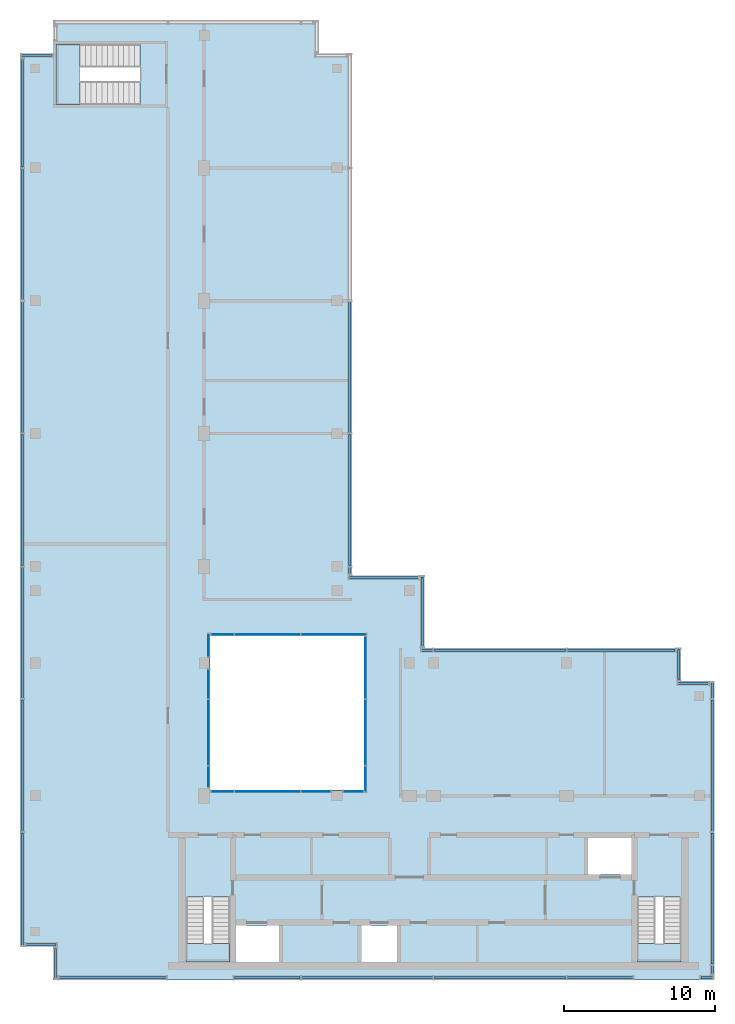
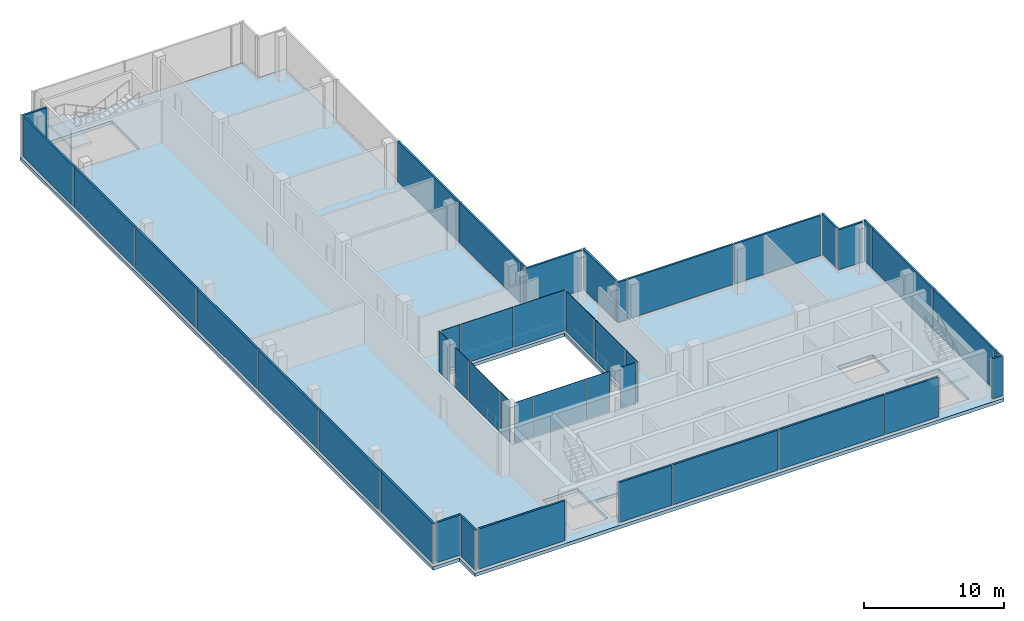
# One storey, part 7 of 10: 44 plates, 4 slabs, 23 elements without a shape of their own.
"""IFC4 building model written with IfcOpenShell, lengths in metres."""

from ifc_helpers import new_model, si_unit, direction, frame, origin, origin_2d, place, context, subcontext, project, spatial, polyline, rectangle, outline, extrude, source, transform, mapped, material, layer, layer_set, type_object, element, aggregate, save


model = new_model("IFC4")

# Units and contexts
model_context = context("Model", 3, precision=1e-05, world=origin(), true_north=direction((0.0, 1.0)))
body_context = subcontext(model_context, "Body", "Model", "MODEL_VIEW")
ifc_project = project(units=[si_unit("LENGTHUNIT", "METRE"), si_unit("AREAUNIT", "SQUARE_METRE"), si_unit("VOLUMEUNIT", "CUBIC_METRE"), si_unit("PLANEANGLEUNIT", "RADIAN"), si_unit("MASSUNIT", "GRAM", prefix="KILO")], contexts=[model_context])

# Site, building, storey
site_placement = place(None, origin())
site = spatial("IfcSite", under=ifc_project, at=site_placement, CompositionType="ELEMENT")
building_placement = place(site_placement, origin())
building = spatial("IfcBuilding", under=site, at=building_placement, Name="Kemantara Hotel Tower", CompositionType="ELEMENT")
storey_placement = place(building_placement, frame((0.0, 0.0, 318.199951171875)))
storey = spatial("IfcBuildingStorey", under=building, at=storey_placement, Name="L80", CompositionType="ELEMENT", Elevation=318.199951171875)

# Slab
ifc_material_1 = material(Name="Concrete fc 40 MPa", Category="concrete")
ifc_layer_1 = layer(ifc_material_1, 0.300048828125)
ifc_layer_set_1 = layer_set([ifc_layer_1], Name="Concrete fc 40 MPa")
slab_type_1 = type_object("IfcSlabType", Name="POST-TENSIONED FLAT PLATE 300", PredefinedType="FLOOR", material=ifc_layer_set_1)
slab_1_placement = place(storey_placement, frame((0.0, 0.0, -0.300048828125)))
element("IfcSlab", 1, at=slab_1_placement, inside=storey, type_object=slab_type_1, Name="FLOOR SLAB L80", PredefinedType="FLOOR", context=body_context, shape_type="SweptSolid", body=[
    extrude(outline(polyline([(22.0, 26.800048828125), (22.0, 61.39990234375), (19.800048828125, 61.39990234375), (19.800048828125, 63.60009765625), (2.199951171875, 63.60009765625), (2.199951171875, 61.39990234375), (0.0, 61.39990234375), (0.0, 2.199951171875), (2.199951171875, 2.199951171875), (2.199951171875, 0.0), (46.0, 0.0), (46.0, 19.800048828125), (43.800048828125, 19.800048828125), (43.800048828125, 22.0), (26.800048828125, 22.0), (26.800048828125, 26.800048828125), (22.0, 26.800048828125)]), holes=[polyline([(14.22509765625, 3.60009765625), (17.175048828125, 3.60009765625), (17.175048828125, 1.199951171875), (14.22509765625, 1.199951171875), (14.22509765625, 3.60009765625)]), polyline([(24.97509765625, 3.60009765625), (24.97509765625, 1.199951171875), (22.625, 1.199951171875), (22.625, 3.60009765625), (24.97509765625, 3.60009765625)]), polyline([(13.89990234375, 1.199951171875), (11.0, 1.199951171875), (11.0, 5.49951171875), (13.89990234375, 5.49951171875), (13.89990234375, 1.199951171875)]), polyline([(43.800048828125, 1.199951171875), (40.89990234375, 1.199951171875), (40.89990234375, 5.49951171875), (43.800048828125, 5.49951171875), (43.800048828125, 1.199951171875)]), polyline([(40.574951171875, 9.39990234375), (40.574951171875, 7.0), (37.625, 7.0), (37.625, 9.39990234375), (40.574951171875, 9.39990234375)]), polyline([(22.800048828125, 22.800048828125), (22.800048828125, 12.60009765625), (12.60009765625, 12.60009765625), (12.60009765625, 22.800048828125), (22.800048828125, 22.800048828125)]), polyline([(2.39990234375, 58.0), (2.39990234375, 62.0), (7.949462890625, 62.0), (7.949462890625, 58.0), (2.39990234375, 58.0)])]), origin(), (0.0, 0.0, 1.0), 0.300048828125),
])

# Stair, slab
stair_type_1 = type_object("IfcStairType", Name="Stair 1200 wide 24 risers of 167 x 280 mm", PredefinedType="HALF_TURN_STAIR", material=ifc_material_1)
stair_1_placement = place(storey_placement, origin())
stair_1 = element("IfcStair", 2, at=stair_1_placement, inside=storey, type_object=stair_type_1, Name="L80 Exit stair ST1", PredefinedType="HALF_TURN_STAIR")
ifc_layer_2 = layer(ifc_material_1, 0.199951171875)
ifc_layer_set_2 = layer_set([ifc_layer_2], Name="Concrete fc 40 MPa")
slab_type_2 = type_object("IfcSlabType", Name="Stair landing 200 mm", PredefinedType="LANDING", material=ifc_layer_set_2)
slab_2_placement = place(storey_placement, frame((0.0, 0.0, 1.800048828125)))
slab_2 = element("IfcSlab", 3, at=slab_2_placement, type_object=slab_type_2, Name="ST1 landing 1", PredefinedType="LANDING", context=body_context, shape_type="SweptSolid", body=[
    extrude(outline(polyline([(11.0, 2.419921875), (11.0, 1.199951171875), (13.89990234375, 1.199951171875), (13.89990234375, 2.419921875), (11.0, 2.419921875)])), origin(), (0.0, 0.0, 1.0), 0.199951171875),
])
aggregate(stair_1, [slab_2])

stair_2_placement = place(storey_placement, origin())
stair_2 = element("IfcStair", 4, at=stair_2_placement, inside=storey, type_object=stair_type_1, Name="L80 Exit stair ST2", PredefinedType="HALF_TURN_STAIR")
slab_3_placement = place(storey_placement, frame((0.0, 0.0, 1.800048828125)))
slab_3 = element("IfcSlab", 5, at=slab_3_placement, type_object=slab_type_2, Name="ST2 landing 1", PredefinedType="LANDING", context=body_context, shape_type="SweptSolid", body=[
    extrude(outline(polyline([(40.89990234375, 2.419921875), (40.89990234375, 1.199951171875), (43.800048828125, 1.199951171875), (43.800048828125, 2.419921875), (40.89990234375, 2.419921875)])), origin(), (0.0, 0.0, 1.0), 0.199951171875),
])
aggregate(stair_2, [slab_3])

stair_type_2 = type_object("IfcStairType", Name="Stair 1550 wide 24 risers of 167 x 360 mm", PredefinedType="HALF_TURN_STAIR", material=ifc_material_1)
stair_3_placement = place(storey_placement, origin())
stair_3 = element("IfcStair", 6, at=stair_3_placement, inside=storey, type_object=stair_type_2, Name="L80 Exit stair ST4", PredefinedType="HALF_TURN_STAIR")
slab_4_placement = place(storey_placement, frame((0.0, 0.0, 1.800048828125)))
slab_4 = element("IfcSlab", 7, at=slab_4_placement, type_object=slab_type_2, Name="ST4 landing 1", PredefinedType="LANDING", context=body_context, shape_type="SweptSolid", body=[
    extrude(outline(polyline([(3.989990234375, 62.0), (2.39990234375, 62.0), (2.39990234375, 58.0), (3.989990234375, 58.0), (3.989990234375, 62.0)])), origin(), (0.0, 0.0, 1.0), 0.199951171875),
])
aggregate(stair_3, [slab_4])

# Curtain wall, plate
ifc_material_2 = material(Name="Aluminium 6063-T6 bronze anodised", Category="aluminium")
curtain_wall_type_1 = type_object("IfcCurtainWallType", Name="CROWN LOUVRE SCREEN WALL", PredefinedType="USERDEFINED", material=ifc_material_2)
curtain_wall_1_placement = place(storey_placement, origin())
curtain_wall_1 = element("IfcCurtainWall", 8, at=curtain_wall_1_placement, inside=storey, type_object=curtain_wall_type_1, Name="CW7 L80 CRN-R12-1", ObjectType="CROWN LOUVRE SCREEN WALL", PredefinedType="USERDEFINED")
ifc_material_3 = material(Name="Bronze anodised aluminium louvre blades 3 mm", Category="aluminium")
ifc_layer_3 = layer(ifc_material_3, 0.159912109375)
ifc_layer_set_3 = layer_set([ifc_layer_3], Name="Bronze anodised aluminium louvre blades 3 mm")
plate_type_1 = type_object("IfcPlateType", Name="CROWN LOUVRE SCREEN WALL PANEL", PredefinedType="CURTAIN_PANEL", material=ifc_layer_set_3)
shared_shape_1 = source(origin(), body_context, "Body", "SweptSolid", [
    extrude(rectangle(XDim=0.75, YDim=0.159912109375, at=origin_2d()), origin(), (0.0, 0.0, 1.0), 3.5),
])
plate_1_placement = place(storey_placement, frame((26.97509765625, 21.85009765625, 0.199951171875), z_axis=(0.0, 0.0, 1.0), x_axis=(-1.0, 0.0, 0.0)))
plate_1 = element("IfcPlate", 9, at=plate_1_placement, type_object=plate_type_1, Name="CW7 louvre panel CRN-R12-1.3", PredefinedType="CURTAIN_PANEL", context=body_context, shape_type="MappedRepresentation", body=[
    mapped(shared_shape_1, transform((0.0, 0.0, 0.0))),
])

# Curtain wall, plates
curtain_wall_2_placement = place(storey_placement, origin())
curtain_wall_2 = element("IfcCurtainWall", 10, at=curtain_wall_2_placement, inside=storey, type_object=curtain_wall_type_1, Name="CW7 L80 CRN-R05-1", ObjectType="CROWN LOUVRE SCREEN WALL", PredefinedType="USERDEFINED")
shared_shape_2 = source(origin(), body_context, "Body", "SweptSolid", [
    extrude(rectangle(XDim=8.699951171875, YDim=0.159912109375, at=origin_2d()), origin(), (0.0, 0.0, 1.0), 3.5),
])
plate_2_placement = place(storey_placement, frame((0.14990234375, 49.39990234375, 0.199951171875), z_axis=(0.0, 0.0, 1.0), x_axis=(0.0, -1.0, 0.0)))
plate_2 = element("IfcPlate", 11, at=plate_2_placement, type_object=plate_type_1, Name="CW7 louvre panel CRN-R05-1.2", PredefinedType="CURTAIN_PANEL", context=body_context, shape_type="MappedRepresentation", body=[
    mapped(shared_shape_2, transform((0.0, 0.0, 0.0))),
])
plate_3_placement = place(storey_placement, frame((0.14990234375, 40.60009765625, 0.199951171875), z_axis=(0.0, 0.0, 1.0), x_axis=(0.0, -1.0, 0.0)))
plate_3 = element("IfcPlate", 12, at=plate_3_placement, type_object=plate_type_1, Name="CW7 louvre panel CRN-R05-1.3", PredefinedType="CURTAIN_PANEL", context=body_context, shape_type="MappedRepresentation", body=[
    mapped(shared_shape_2, transform((0.0, 0.0, 0.0))),
])
plate_4_placement = place(storey_placement, frame((0.14990234375, 31.800048828125, 0.199951171875), z_axis=(0.0, 0.0, 1.0), x_axis=(0.0, -1.0, 0.0)))
plate_4 = element("IfcPlate", 13, at=plate_4_placement, type_object=plate_type_1, Name="CW7 louvre panel CRN-R05-1.4", PredefinedType="CURTAIN_PANEL", context=body_context, shape_type="MappedRepresentation", body=[
    mapped(shared_shape_2, transform((0.0, 0.0, 0.0))),
])
plate_5_placement = place(storey_placement, frame((0.14990234375, 23.0, 0.199951171875), z_axis=(0.0, 0.0, 1.0), x_axis=(0.0, -1.0, 0.0)))
plate_5 = element("IfcPlate", 14, at=plate_5_placement, type_object=plate_type_1, Name="CW7 louvre panel CRN-R05-1.5", PredefinedType="CURTAIN_PANEL", context=body_context, shape_type="MappedRepresentation", body=[
    mapped(shared_shape_2, transform((0.0, 0.0, 0.0))),
])
plate_6_placement = place(storey_placement, frame((0.14990234375, 14.199951171875, 0.199951171875), z_axis=(0.0, 0.0, 1.0), x_axis=(0.0, -1.0, 0.0)))
plate_6 = element("IfcPlate", 15, at=plate_6_placement, type_object=plate_type_1, Name="CW7 louvre panel CRN-R05-1.6", PredefinedType="CURTAIN_PANEL", context=body_context, shape_type="MappedRepresentation", body=[
    mapped(shared_shape_2, transform((0.0, 0.0, 0.0))),
])

curtain_wall_3_placement = place(storey_placement, origin())
curtain_wall_3 = element("IfcCurtainWall", 16, at=curtain_wall_3_placement, inside=storey, type_object=curtain_wall_type_1, Name="CW7 L80 CRN-R08-2", ObjectType="CROWN LOUVRE SCREEN WALL", PredefinedType="USERDEFINED")
plate_7_placement = place(storey_placement, frame((23.0, 0.14990234375, 0.199951171875), z_axis=(0.0, 0.0, 1.0), x_axis=(1.0, 0.0, 0.0)))
plate_7 = element("IfcPlate", 17, at=plate_7_placement, type_object=plate_type_1, Name="CW7 louvre panel CRN-R08-2.2", PredefinedType="CURTAIN_PANEL", context=body_context, shape_type="MappedRepresentation", body=[
    mapped(shared_shape_2, transform((0.0, 0.0, 0.0))),
])
plate_8_placement = place(storey_placement, frame((31.800048828125, 0.14990234375, 0.199951171875), z_axis=(0.0, 0.0, 1.0), x_axis=(1.0, 0.0, 0.0)))
plate_8 = element("IfcPlate", 18, at=plate_8_placement, type_object=plate_type_1, Name="CW7 louvre panel CRN-R08-2.3", PredefinedType="CURTAIN_PANEL", context=body_context, shape_type="MappedRepresentation", body=[
    mapped(shared_shape_2, transform((0.0, 0.0, 0.0))),
])

curtain_wall_4_placement = place(storey_placement, origin())
curtain_wall_4 = element("IfcCurtainWall", 19, at=curtain_wall_4_placement, inside=storey, type_object=curtain_wall_type_1, Name="CW7 L80 CRN-R09-1", ObjectType="CROWN LOUVRE SCREEN WALL", PredefinedType="USERDEFINED")
plate_9_placement = place(storey_placement, frame((45.85009765625, 5.39990234375, 0.199951171875), z_axis=(0.0, 0.0, 1.0), x_axis=(0.0, 1.0, 0.0)))
plate_9 = element("IfcPlate", 20, at=plate_9_placement, type_object=plate_type_1, Name="CW7 louvre panel CRN-R09-1.2", PredefinedType="CURTAIN_PANEL", context=body_context, shape_type="MappedRepresentation", body=[
    mapped(shared_shape_2, transform((0.0, 0.0, 0.0))),
])
plate_10_placement = place(storey_placement, frame((45.85009765625, 14.199951171875, 0.199951171875), z_axis=(0.0, 0.0, 1.0), x_axis=(0.0, 1.0, 0.0)))
plate_10 = element("IfcPlate", 21, at=plate_10_placement, type_object=plate_type_1, Name="CW7 louvre panel CRN-R09-1.3", PredefinedType="CURTAIN_PANEL", context=body_context, shape_type="MappedRepresentation", body=[
    mapped(shared_shape_2, transform((0.0, 0.0, 0.0))),
])

# Plate
plate_11_placement = place(storey_placement, frame((31.800048828125, 21.85009765625, 0.199951171875), z_axis=(0.0, 0.0, 1.0), x_axis=(-1.0, 0.0, 0.0)))
plate_11 = element("IfcPlate", 22, at=plate_11_placement, type_object=plate_type_1, Name="CW7 louvre panel CRN-R12-1.2", PredefinedType="CURTAIN_PANEL", context=body_context, shape_type="MappedRepresentation", body=[
    mapped(shared_shape_2, transform((0.0, 0.0, 0.0))),
])

# Curtain wall, plates
curtain_wall_5_placement = place(storey_placement, origin())
curtain_wall_5 = element("IfcCurtainWall", 23, at=curtain_wall_5_placement, inside=storey, type_object=curtain_wall_type_1, Name="CW7 L80 CRN-R15-1", ObjectType="CROWN LOUVRE SCREEN WALL", PredefinedType="USERDEFINED")
plate_12_placement = place(storey_placement, frame((21.85009765625, 31.800048828125, 0.199951171875), z_axis=(0.0, 0.0, 1.0), x_axis=(0.0, 1.0, 0.0)))
plate_12 = element("IfcPlate", 24, at=plate_12_placement, type_object=plate_type_1, Name="CW7 louvre panel CRN-R15-1.2", PredefinedType="CURTAIN_PANEL", context=body_context, shape_type="MappedRepresentation", body=[
    mapped(shared_shape_2, transform((0.0, 0.0, 0.0))),
])
plate_13_placement = place(storey_placement, frame((21.85009765625, 40.60009765625, 0.199951171875), z_axis=(0.0, 0.0, 1.0), x_axis=(0.0, 1.0, 0.0)))
plate_13 = element("IfcPlate", 25, at=plate_13_placement, type_object=plate_type_1, Name="CW7 louvre panel CRN-R15-1.3", PredefinedType="CURTAIN_PANEL", context=body_context, shape_type="MappedRepresentation", body=[
    mapped(shared_shape_2, transform((0.0, 0.0, 0.0))),
])

# Plate
shared_shape_3 = source(origin(), body_context, "Body", "SweptSolid", [
    extrude(rectangle(XDim=7.449951171875, YDim=0.159912109375, at=origin_2d()), origin(), (0.0, 0.0, 1.0), 3.5),
])
plate_14_placement = place(storey_placement, frame((0.14990234375, 6.02490234375, 0.199951171875), z_axis=(0.0, 0.0, 1.0), x_axis=(0.0, -1.0, 0.0)))
plate_14 = element("IfcPlate", 26, at=plate_14_placement, type_object=plate_type_1, Name="CW7 louvre panel CRN-R05-1.7", PredefinedType="CURTAIN_PANEL", context=body_context, shape_type="MappedRepresentation", body=[
    mapped(shared_shape_3, transform((0.0, 0.0, 0.0))),
])

shared_shape_4 = source(origin(), body_context, "Body", "SweptSolid", [
    extrude(rectangle(XDim=7.14990234375, YDim=0.159912109375, at=origin_2d()), origin(), (0.0, 0.0, 1.0), 3.5),
])
plate_15_placement = place(storey_placement, frame((0.14990234375, 57.425048828125, 0.199951171875), z_axis=(0.0, 0.0, 1.0), x_axis=(0.0, -1.0, 0.0)))
plate_15 = element("IfcPlate", 27, at=plate_15_placement, type_object=plate_type_1, Name="CW7 louvre panel CRN-R05-1.1", PredefinedType="CURTAIN_PANEL", context=body_context, shape_type="MappedRepresentation", body=[
    mapped(shared_shape_4, transform((0.0, 0.0, 0.0))),
])

aggregate(curtain_wall_2, [plate_15, plate_2, plate_3, plate_4, plate_5, plate_6, plate_14])

plate_16_placement = place(storey_placement, frame((39.824951171875, 21.85009765625, 0.199951171875), z_axis=(0.0, 0.0, 1.0), x_axis=(-1.0, 0.0, 0.0)))
plate_16 = element("IfcPlate", 28, at=plate_16_placement, type_object=plate_type_1, Name="CW7 louvre panel CRN-R12-1.1", PredefinedType="CURTAIN_PANEL", context=body_context, shape_type="MappedRepresentation", body=[
    mapped(shared_shape_4, transform((0.0, 0.0, 0.0))),
])

aggregate(curtain_wall_1, [plate_16, plate_11, plate_1])

# Curtain wall, plate
curtain_wall_6_placement = place(storey_placement, origin())
curtain_wall_6 = element("IfcCurtainWall", 29, at=curtain_wall_6_placement, inside=storey, type_object=curtain_wall_type_1, Name="CW7 L80 CRN-R08-1", ObjectType="CROWN LOUVRE SCREEN WALL", PredefinedType="USERDEFINED")
shared_shape_5 = source(origin(), body_context, "Body", "SweptSolid", [
    extrude(rectangle(XDim=7.10009765625, YDim=0.159912109375, at=origin_2d()), origin(), (0.0, 0.0, 1.0), 3.5),
])
plate_17_placement = place(storey_placement, frame((6.14990234375, 0.14990234375, 0.199951171875), z_axis=(0.0, 0.0, 1.0), x_axis=(1.0, 0.0, 0.0)))
plate_17 = element("IfcPlate", 30, at=plate_17_placement, type_object=plate_type_1, Name="CW7 louvre panel CRN-R08-1.1", PredefinedType="CURTAIN_PANEL", context=body_context, shape_type="MappedRepresentation", body=[
    mapped(shared_shape_5, transform((0.0, 0.0, 0.0))),
])
aggregate(curtain_wall_6, [plate_17])

# Plate
shared_shape_6 = source(origin(), body_context, "Body", "SweptSolid", [
    extrude(rectangle(XDim=4.35009765625, YDim=0.159912109375, at=origin_2d()), origin(), (0.0, 0.0, 1.0), 3.5),
])
plate_18_placement = place(storey_placement, frame((16.375, 0.14990234375, 0.199951171875), z_axis=(0.0, 0.0, 1.0), x_axis=(1.0, 0.0, 0.0)))
plate_18 = element("IfcPlate", 31, at=plate_18_placement, type_object=plate_type_1, Name="CW7 louvre panel CRN-R08-2.1", PredefinedType="CURTAIN_PANEL", context=body_context, shape_type="MappedRepresentation", body=[
    mapped(shared_shape_6, transform((0.0, 0.0, 0.0))),
])

plate_19_placement = place(storey_placement, frame((38.425048828125, 0.14990234375, 0.199951171875), z_axis=(0.0, 0.0, 1.0), x_axis=(1.0, 0.0, 0.0)))
plate_19 = element("IfcPlate", 32, at=plate_19_placement, type_object=plate_type_1, Name="CW7 louvre panel CRN-R08-2.4", PredefinedType="CURTAIN_PANEL", context=body_context, shape_type="MappedRepresentation", body=[
    mapped(shared_shape_6, transform((0.0, 0.0, 0.0))),
])

aggregate(curtain_wall_3, [plate_18, plate_7, plate_8, plate_19])

# Curtain wall, plate
curtain_wall_7_placement = place(storey_placement, origin())
curtain_wall_7 = element("IfcCurtainWall", 33, at=curtain_wall_7_placement, inside=storey, type_object=curtain_wall_type_1, Name="CW7 L80 CRN-R08-3", ObjectType="CROWN LOUVRE SCREEN WALL", PredefinedType="USERDEFINED")
shared_shape_7 = source(origin(), body_context, "Body", "SweptSolid", [
    extrude(rectangle(XDim=0.800048828125, YDim=0.159912109375, at=origin_2d()), origin(), (0.0, 0.0, 1.0), 3.5),
])
plate_20_placement = place(storey_placement, frame((45.5, 0.14990234375, 0.199951171875), z_axis=(0.0, 0.0, 1.0), x_axis=(1.0, 0.0, 0.0)))
plate_20 = element("IfcPlate", 34, at=plate_20_placement, type_object=plate_type_1, Name="CW7 louvre panel CRN-R08-3.1", PredefinedType="CURTAIN_PANEL", context=body_context, shape_type="MappedRepresentation", body=[
    mapped(shared_shape_7, transform((0.0, 0.0, 0.0))),
])
aggregate(curtain_wall_7, [plate_20])

# Plate
shared_shape_8 = source(origin(), body_context, "Body", "SweptSolid", [
    extrude(rectangle(XDim=0.550048828125, YDim=0.159912109375, at=origin_2d()), origin(), (0.0, 0.0, 1.0), 3.5),
])
plate_21_placement = place(storey_placement, frame((45.85009765625, 0.675048828125, 0.199951171875), z_axis=(0.0, 0.0, 1.0), x_axis=(0.0, 1.0, 0.0)))
plate_21 = element("IfcPlate", 35, at=plate_21_placement, type_object=plate_type_1, Name="CW7 louvre panel CRN-R09-1.1", PredefinedType="CURTAIN_PANEL", context=body_context, shape_type="MappedRepresentation", body=[
    mapped(shared_shape_8, transform((0.0, 0.0, 0.0))),
])

shared_shape_9 = source(origin(), body_context, "Body", "SweptSolid", [
    extrude(rectangle(XDim=1.050048828125, YDim=0.159912109375, at=origin_2d()), origin(), (0.0, 0.0, 1.0), 3.5),
])
plate_22_placement = place(storey_placement, frame((45.85009765625, 19.175048828125, 0.199951171875), z_axis=(0.0, 0.0, 1.0), x_axis=(0.0, 1.0, 0.0)))
plate_22 = element("IfcPlate", 36, at=plate_22_placement, type_object=plate_type_1, Name="CW7 louvre panel CRN-R09-1.4", PredefinedType="CURTAIN_PANEL", context=body_context, shape_type="MappedRepresentation", body=[
    mapped(shared_shape_9, transform((0.0, 0.0, 0.0))),
])

aggregate(curtain_wall_4, [plate_21, plate_9, plate_10, plate_22])

# Curtain wall, plate
curtain_wall_8_placement = place(storey_placement, origin())
curtain_wall_8 = element("IfcCurtainWall", 37, at=curtain_wall_8_placement, inside=storey, type_object=curtain_wall_type_1, Name="CW7 L80 CRN-R13-1", ObjectType="CROWN LOUVRE SCREEN WALL", PredefinedType="USERDEFINED")
shared_shape_10 = source(origin(), body_context, "Body", "SweptSolid", [
    extrude(rectangle(XDim=4.60009765625, YDim=0.159912109375, at=origin_2d()), origin(), (0.0, 0.0, 1.0), 3.5),
])
plate_23_placement = place(storey_placement, frame((26.64990234375, 24.39990234375, 0.199951171875), z_axis=(0.0, 0.0, 1.0), x_axis=(0.0, 1.0, 0.0)))
plate_23 = element("IfcPlate", 38, at=plate_23_placement, type_object=plate_type_1, Name="CW7 louvre panel CRN-R13-1.1", PredefinedType="CURTAIN_PANEL", context=body_context, shape_type="MappedRepresentation", body=[
    mapped(shared_shape_10, transform((0.0, 0.0, 0.0))),
])
aggregate(curtain_wall_8, [plate_23])

curtain_wall_9_placement = place(storey_placement, origin())
curtain_wall_9 = element("IfcCurtainWall", 39, at=curtain_wall_9_placement, inside=storey, type_object=curtain_wall_type_1, Name="CW7 L80 CRN-R14-1", ObjectType="CROWN LOUVRE SCREEN WALL", PredefinedType="USERDEFINED")
plate_24_placement = place(storey_placement, frame((24.10009765625, 26.64990234375, 0.199951171875), z_axis=(0.0, 0.0, 1.0), x_axis=(-1.0, 0.0, 0.0)))
plate_24 = element("IfcPlate", 40, at=plate_24_placement, type_object=plate_type_1, Name="CW7 louvre panel CRN-R14-1.1", PredefinedType="CURTAIN_PANEL", context=body_context, shape_type="MappedRepresentation", body=[
    mapped(shared_shape_10, transform((0.0, 0.0, 0.0))),
])
aggregate(curtain_wall_9, [plate_24])

# Plate
shared_shape_11 = source(origin(), body_context, "Body", "SweptSolid", [
    extrude(rectangle(XDim=0.449951171875, YDim=0.159912109375, at=origin_2d()), origin(), (0.0, 0.0, 1.0), 3.5),
])
plate_25_placement = place(storey_placement, frame((21.85009765625, 27.125, 0.199951171875), z_axis=(0.0, 0.0, 1.0), x_axis=(0.0, 1.0, 0.0)))
plate_25 = element("IfcPlate", 41, at=plate_25_placement, type_object=plate_type_1, Name="CW7 louvre panel CRN-R15-1.1", PredefinedType="CURTAIN_PANEL", context=body_context, shape_type="MappedRepresentation", body=[
    mapped(shared_shape_11, transform((0.0, 0.0, 0.0))),
])

aggregate(curtain_wall_5, [plate_25, plate_12, plate_13])

# Curtain wall, plate
curtain_wall_10_placement = place(storey_placement, origin())
curtain_wall_10 = element("IfcCurtainWall", 42, at=curtain_wall_10_placement, inside=storey, type_object=curtain_wall_type_1, Name="CW7 L80 CRN-R04-1", ObjectType="CROWN LOUVRE SCREEN WALL", PredefinedType="USERDEFINED")
shared_shape_12 = source(origin(), body_context, "Body", "SweptSolid", [
    extrude(rectangle(XDim=2.0, YDim=0.159912109375, at=origin_2d()), origin(), (0.0, 0.0, 1.0), 3.5),
])
plate_26_placement = place(storey_placement, frame((1.10009765625, 61.25, 0.199951171875), z_axis=(0.0, 0.0, 1.0), x_axis=(-1.0, 0.0, 0.0)))
plate_26 = element("IfcPlate", 43, at=plate_26_placement, type_object=plate_type_1, Name="CW7 louvre panel CRN-R04-1.1", PredefinedType="CURTAIN_PANEL", context=body_context, shape_type="MappedRepresentation", body=[
    mapped(shared_shape_12, transform((0.0, 0.0, 0.0))),
])
aggregate(curtain_wall_10, [plate_26])

curtain_wall_11_placement = place(storey_placement, origin())
curtain_wall_11 = element("IfcCurtainWall", 44, at=curtain_wall_11_placement, inside=storey, type_object=curtain_wall_type_1, Name="CW7 L80 CRN-R06-1", ObjectType="CROWN LOUVRE SCREEN WALL", PredefinedType="USERDEFINED")
plate_27_placement = place(storey_placement, frame((1.39990234375, 2.35009765625, 0.199951171875), z_axis=(0.0, 0.0, 1.0), x_axis=(1.0, 0.0, 0.0)))
plate_27 = element("IfcPlate", 45, at=plate_27_placement, type_object=plate_type_1, Name="CW7 louvre panel CRN-R06-1.1", PredefinedType="CURTAIN_PANEL", context=body_context, shape_type="MappedRepresentation", body=[
    mapped(shared_shape_12, transform((0.0, 0.0, 0.0))),
])
aggregate(curtain_wall_11, [plate_27])

curtain_wall_12_placement = place(storey_placement, origin())
curtain_wall_12 = element("IfcCurtainWall", 46, at=curtain_wall_12_placement, inside=storey, type_object=curtain_wall_type_1, Name="CW7 L80 CRN-R07-1", ObjectType="CROWN LOUVRE SCREEN WALL", PredefinedType="USERDEFINED")
plate_28_placement = place(storey_placement, frame((2.35009765625, 1.10009765625, 0.199951171875), z_axis=(0.0, 0.0, 1.0), x_axis=(0.0, -1.0, 0.0)))
plate_28 = element("IfcPlate", 47, at=plate_28_placement, type_object=plate_type_1, Name="CW7 louvre panel CRN-R07-1.1", PredefinedType="CURTAIN_PANEL", context=body_context, shape_type="MappedRepresentation", body=[
    mapped(shared_shape_12, transform((0.0, 0.0, 0.0))),
])
aggregate(curtain_wall_12, [plate_28])

curtain_wall_13_placement = place(storey_placement, origin())
curtain_wall_13 = element("IfcCurtainWall", 48, at=curtain_wall_13_placement, inside=storey, type_object=curtain_wall_type_1, Name="CW7 L80 CRN-R10-1", ObjectType="CROWN LOUVRE SCREEN WALL", PredefinedType="USERDEFINED")
plate_29_placement = place(storey_placement, frame((44.60009765625, 19.64990234375, 0.199951171875), z_axis=(0.0, 0.0, 1.0), x_axis=(-1.0, 0.0, 0.0)))
plate_29 = element("IfcPlate", 49, at=plate_29_placement, type_object=plate_type_1, Name="CW7 louvre panel CRN-R10-1.1", PredefinedType="CURTAIN_PANEL", context=body_context, shape_type="MappedRepresentation", body=[
    mapped(shared_shape_12, transform((0.0, 0.0, 0.0))),
])
aggregate(curtain_wall_13, [plate_29])

curtain_wall_14_placement = place(storey_placement, origin())
curtain_wall_14 = element("IfcCurtainWall", 50, at=curtain_wall_14_placement, inside=storey, type_object=curtain_wall_type_1, Name="CW7 L80 CRN-R11-1", ObjectType="CROWN LOUVRE SCREEN WALL", PredefinedType="USERDEFINED")
plate_30_placement = place(storey_placement, frame((43.64990234375, 20.89990234375, 0.199951171875), z_axis=(0.0, 0.0, 1.0), x_axis=(0.0, 1.0, 0.0)))
plate_30 = element("IfcPlate", 51, at=plate_30_placement, type_object=plate_type_1, Name="CW7 louvre panel CRN-R11-1.1", PredefinedType="CURTAIN_PANEL", context=body_context, shape_type="MappedRepresentation", body=[
    mapped(shared_shape_12, transform((0.0, 0.0, 0.0))),
])
aggregate(curtain_wall_14, [plate_30])

ifc_material_4 = material(Name="Clear low-iron laminated glass 36 mm", Category="glass")
curtain_wall_type_2 = type_object("IfcCurtainWallType", Name="ATRIUM GLAZING WALL", PredefinedType="USERDEFINED", material=ifc_material_4)
curtain_wall_15_placement = place(storey_placement, origin())
curtain_wall_15 = element("IfcCurtainWall", 52, at=curtain_wall_15_placement, inside=storey, type_object=curtain_wall_type_2, Name="CW5 L80 ATR-R0-1", ObjectType="ATRIUM GLAZING WALL", PredefinedType="USERDEFINED")
ifc_layer_4 = layer(ifc_material_4, 0.035888671875)
ifc_layer_set_4 = layer_set([ifc_layer_4], Name="Clear low-iron laminated glass 36 mm")
plate_type_2 = type_object("IfcPlateType", Name="ATRIUM GLAZING WALL PANEL", PredefinedType="CURTAIN_PANEL", material=ifc_layer_set_4)
shared_shape_13 = source(origin(), body_context, "Body", "SweptSolid", [
    extrude(rectangle(XDim=1.487548828125, YDim=0.035888671875, at=origin_2d()), origin(), (0.0, 0.0, 1.0), 3.550048828125),
])
plate_31_placement = place(storey_placement, frame((13.418701171875, 22.89990234375, 0.14990234375), z_axis=(0.0, 0.0, 1.0), x_axis=(1.0, 0.0, 0.0)))
plate_31 = element("IfcPlate", 53, at=plate_31_placement, type_object=plate_type_2, Name="CW5 glass panel ATR-R0-1.1", PredefinedType="CURTAIN_PANEL", context=body_context, shape_type="MappedRepresentation", body=[
    mapped(shared_shape_13, transform((0.0, 0.0, 0.0))),
])

curtain_wall_16_placement = place(storey_placement, origin())
curtain_wall_16 = element("IfcCurtainWall", 54, at=curtain_wall_16_placement, inside=storey, type_object=curtain_wall_type_2, Name="CW5 L80 ATR-R2-2", ObjectType="ATRIUM GLAZING WALL", PredefinedType="USERDEFINED")
plate_32_placement = place(storey_placement, frame((13.418701171875, 12.5, 0.14990234375), z_axis=(0.0, 0.0, 1.0), x_axis=(-1.0, 0.0, 0.0)))
plate_32 = element("IfcPlate", 55, at=plate_32_placement, type_object=plate_type_2, Name="CW5 glass panel ATR-R2-2.3", PredefinedType="CURTAIN_PANEL", context=body_context, shape_type="MappedRepresentation", body=[
    mapped(shared_shape_13, transform((0.0, 0.0, 0.0))),
])

# Plate
shared_shape_14 = source(origin(), body_context, "Body", "SweptSolid", [
    extrude(rectangle(XDim=4.324951171875, YDim=0.035888671875, at=origin_2d()), origin(), (0.0, 0.0, 1.0), 3.550048828125),
])
plate_33_placement = place(storey_placement, frame((16.39990234375, 22.89990234375, 0.14990234375), z_axis=(0.0, 0.0, 1.0), x_axis=(1.0, 0.0, 0.0)))
plate_33 = element("IfcPlate", 56, at=plate_33_placement, type_object=plate_type_2, Name="CW5 glass panel ATR-R0-1.2", PredefinedType="CURTAIN_PANEL", context=body_context, shape_type="MappedRepresentation", body=[
    mapped(shared_shape_14, transform((0.0, 0.0, 0.0))),
])

# Curtain wall, plate
curtain_wall_17_placement = place(storey_placement, origin())
curtain_wall_17 = element("IfcCurtainWall", 57, at=curtain_wall_17_placement, inside=storey, type_object=curtain_wall_type_2, Name="CW5 L80 ATR-R1-1", ObjectType="ATRIUM GLAZING WALL", PredefinedType="USERDEFINED")
plate_34_placement = place(storey_placement, frame((22.89990234375, 16.39990234375, 0.14990234375), z_axis=(0.0, 0.0, 1.0), x_axis=(0.0, -1.0, 0.0)))
plate_34 = element("IfcPlate", 58, at=plate_34_placement, type_object=plate_type_2, Name="CW5 glass panel ATR-R1-1.2", PredefinedType="CURTAIN_PANEL", context=body_context, shape_type="MappedRepresentation", body=[
    mapped(shared_shape_14, transform((0.0, 0.0, 0.0))),
])

# Plate
plate_35_placement = place(storey_placement, frame((16.39990234375, 12.5, 0.14990234375), z_axis=(0.0, 0.0, 1.0), x_axis=(-1.0, 0.0, 0.0)))
plate_35 = element("IfcPlate", 59, at=plate_35_placement, type_object=plate_type_2, Name="CW5 glass panel ATR-R2-2.2", PredefinedType="CURTAIN_PANEL", context=body_context, shape_type="MappedRepresentation", body=[
    mapped(shared_shape_14, transform((0.0, 0.0, 0.0))),
])

# Curtain wall, plate
curtain_wall_18_placement = place(storey_placement, origin())
curtain_wall_18 = element("IfcCurtainWall", 60, at=curtain_wall_18_placement, inside=storey, type_object=curtain_wall_type_2, Name="CW5 L80 ATR-R3-1", ObjectType="ATRIUM GLAZING WALL", PredefinedType="USERDEFINED")
plate_36_placement = place(storey_placement, frame((12.5, 16.39990234375, 0.14990234375), z_axis=(0.0, 0.0, 1.0), x_axis=(0.0, 1.0, 0.0)))
plate_36 = element("IfcPlate", 61, at=plate_36_placement, type_object=plate_type_2, Name="CW5 glass panel ATR-R3-1.2", PredefinedType="CURTAIN_PANEL", context=body_context, shape_type="MappedRepresentation", body=[
    mapped(shared_shape_14, transform((0.0, 0.0, 0.0))),
])

# Plate
shared_shape_15 = source(origin(), body_context, "Body", "SweptSolid", [
    extrude(rectangle(XDim=4.28759765625, YDim=0.035888671875, at=origin_2d()), origin(), (0.0, 0.0, 1.0), 3.550048828125),
])
plate_37_placement = place(storey_placement, frame((20.78125, 22.89990234375, 0.14990234375), z_axis=(0.0, 0.0, 1.0), x_axis=(1.0, 0.0, 0.0)))
plate_37 = element("IfcPlate", 62, at=plate_37_placement, type_object=plate_type_2, Name="CW5 glass panel ATR-R0-1.3", PredefinedType="CURTAIN_PANEL", context=body_context, shape_type="MappedRepresentation", body=[
    mapped(shared_shape_15, transform((0.0, 0.0, 0.0))),
])

aggregate(curtain_wall_15, [plate_31, plate_33, plate_37])

shared_shape_16 = source(origin(), body_context, "Body", "SweptSolid", [
    extrude(rectangle(XDim=4.08740234375, YDim=0.035888671875, at=origin_2d()), origin(), (0.0, 0.0, 1.0), 3.550048828125),
])
plate_38_placement = place(storey_placement, frame((22.89990234375, 20.68115234375, 0.14990234375), z_axis=(0.0, 0.0, 1.0), x_axis=(0.0, -1.0, 0.0)))
plate_38 = element("IfcPlate", 63, at=plate_38_placement, type_object=plate_type_2, Name="CW5 glass panel ATR-R1-1.1", PredefinedType="CURTAIN_PANEL", context=body_context, shape_type="MappedRepresentation", body=[
    mapped(shared_shape_16, transform((0.0, 0.0, 0.0))),
])

shared_shape_17 = source(origin(), body_context, "Body", "SweptSolid", [
    extrude(rectangle(XDim=1.6875, YDim=0.035888671875, at=origin_2d()), origin(), (0.0, 0.0, 1.0), 3.550048828125),
])
plate_39_placement = place(storey_placement, frame((22.89990234375, 13.31884765625, 0.14990234375), z_axis=(0.0, 0.0, 1.0), x_axis=(0.0, -1.0, 0.0)))
plate_39 = element("IfcPlate", 64, at=plate_39_placement, type_object=plate_type_2, Name="CW5 glass panel ATR-R1-1.3", PredefinedType="CURTAIN_PANEL", context=body_context, shape_type="MappedRepresentation", body=[
    mapped(shared_shape_17, transform((0.0, 0.0, 0.0))),
])

aggregate(curtain_wall_17, [plate_38, plate_34, plate_39])

# Curtain wall, plate
curtain_wall_19_placement = place(storey_placement, origin())
curtain_wall_19 = element("IfcCurtainWall", 65, at=curtain_wall_19_placement, inside=storey, type_object=curtain_wall_type_2, Name="CW5 L80 ATR-R2-1", ObjectType="ATRIUM GLAZING WALL", PredefinedType="USERDEFINED")
shared_shape_18 = source(origin(), body_context, "Body", "SweptSolid", [
    extrude(rectangle(XDim=1.300048828125, YDim=0.035888671875, at=origin_2d()), origin(), (0.0, 0.0, 1.0), 3.550048828125),
])
plate_40_placement = place(storey_placement, frame((22.074951171875, 12.5, 0.14990234375), z_axis=(0.0, 0.0, 1.0), x_axis=(-1.0, 0.0, 0.0)))
plate_40 = element("IfcPlate", 66, at=plate_40_placement, type_object=plate_type_2, Name="CW5 glass panel ATR-R2-1.1", PredefinedType="CURTAIN_PANEL", context=body_context, shape_type="MappedRepresentation", body=[
    mapped(shared_shape_18, transform((0.0, 0.0, 0.0))),
])
aggregate(curtain_wall_19, [plate_40])

# Plate
shared_shape_19 = source(origin(), body_context, "Body", "SweptSolid", [
    extrude(rectangle(XDim=1.9375, YDim=0.035888671875, at=origin_2d()), origin(), (0.0, 0.0, 1.0), 3.550048828125),
])
plate_41_placement = place(storey_placement, frame((19.606201171875, 12.5, 0.14990234375), z_axis=(0.0, 0.0, 1.0), x_axis=(-1.0, 0.0, 0.0)))
plate_41 = element("IfcPlate", 67, at=plate_41_placement, type_object=plate_type_2, Name="CW5 glass panel ATR-R2-2.1", PredefinedType="CURTAIN_PANEL", context=body_context, shape_type="MappedRepresentation", body=[
    mapped(shared_shape_19, transform((0.0, 0.0, 0.0))),
])

aggregate(curtain_wall_16, [plate_41, plate_35, plate_32])

plate_42_placement = place(storey_placement, frame((12.5, 19.606201171875, 0.14990234375), z_axis=(0.0, 0.0, 1.0), x_axis=(0.0, 1.0, 0.0)))
plate_42 = element("IfcPlate", 68, at=plate_42_placement, type_object=plate_type_2, Name="CW5 glass panel ATR-R3-1.3", PredefinedType="CURTAIN_PANEL", context=body_context, shape_type="MappedRepresentation", body=[
    mapped(shared_shape_19, transform((0.0, 0.0, 0.0))),
])

shared_shape_20 = source(origin(), body_context, "Body", "SweptSolid", [
    extrude(rectangle(XDim=1.387451171875, YDim=0.035888671875, at=origin_2d()), origin(), (0.0, 0.0, 1.0), 3.550048828125),
])
plate_43_placement = place(storey_placement, frame((12.5, 13.46875, 0.14990234375), z_axis=(0.0, 0.0, 1.0), x_axis=(0.0, 1.0, 0.0)))
plate_43 = element("IfcPlate", 69, at=plate_43_placement, type_object=plate_type_2, Name="CW5 glass panel ATR-R3-1.1", PredefinedType="CURTAIN_PANEL", context=body_context, shape_type="MappedRepresentation", body=[
    mapped(shared_shape_20, transform((0.0, 0.0, 0.0))),
])

aggregate(curtain_wall_18, [plate_43, plate_36, plate_42])

# Curtain wall, plate
curtain_wall_20_placement = place(storey_placement, origin())
curtain_wall_20 = element("IfcCurtainWall", 70, at=curtain_wall_20_placement, inside=storey, type_object=curtain_wall_type_2, Name="CW5 L80 ATR-R3-2", ObjectType="ATRIUM GLAZING WALL", PredefinedType="USERDEFINED")
shared_shape_21 = source(origin(), body_context, "Body", "SweptSolid", [
    extrude(rectangle(XDim=1.5, YDim=0.035888671875, at=origin_2d()), origin(), (0.0, 0.0, 1.0), 3.550048828125),
])
plate_44_placement = place(storey_placement, frame((12.5, 22.175048828125, 0.14990234375), z_axis=(0.0, 0.0, 1.0), x_axis=(0.0, 1.0, 0.0)))
plate_44 = element("IfcPlate", 71, at=plate_44_placement, type_object=plate_type_2, Name="CW5 glass panel ATR-R3-2.1", PredefinedType="CURTAIN_PANEL", context=body_context, shape_type="MappedRepresentation", body=[
    mapped(shared_shape_21, transform((0.0, 0.0, 0.0))),
])
aggregate(curtain_wall_20, [plate_44])

save(model, "model.ifc")
